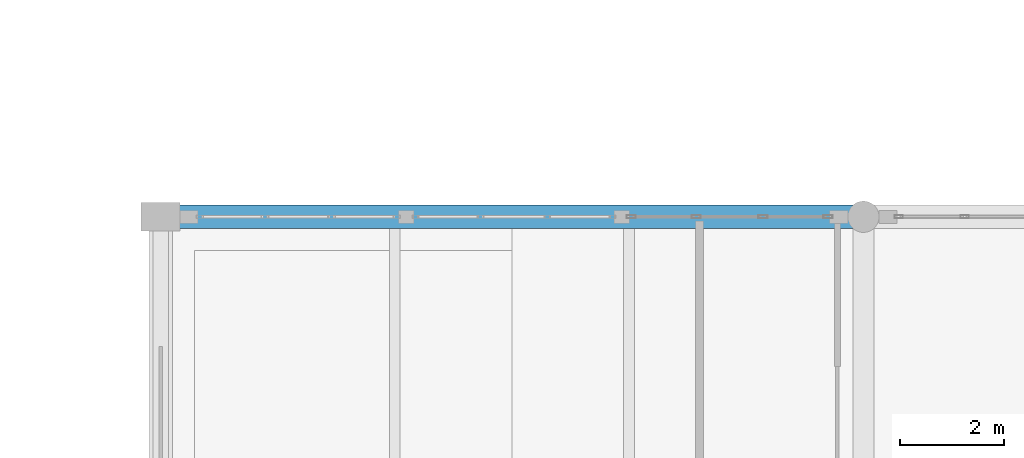
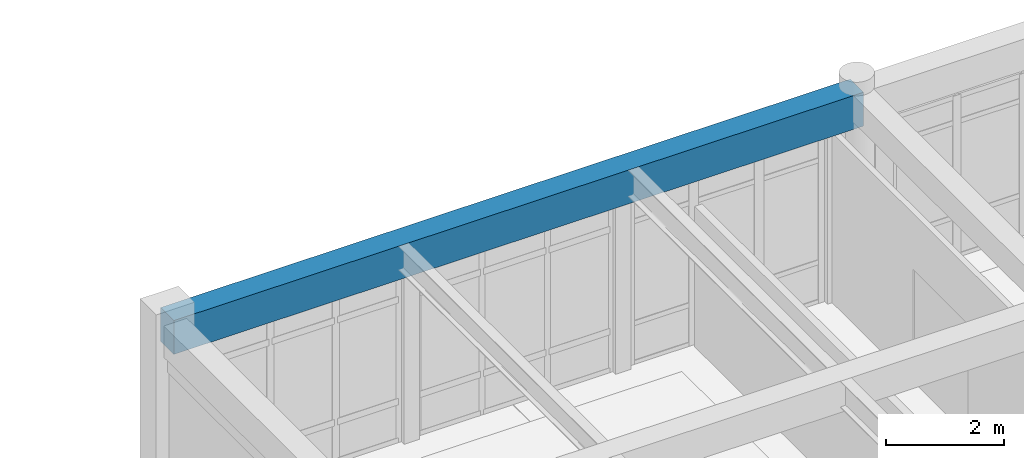
# One storey, part 17 of 109: 1 beam.
"""IFC4 building model written with IfcOpenShell, lengths in metres."""

from ifc_helpers import new_model, si_unit, direction, frame, origin, origin_2d, place, context, subcontext, project, spatial, rectangle, extrude, material, material_profile, profile_set, type_object, element, save


model = new_model("IFC4")

# Units and contexts
model_context = context("Model", 3, precision=1e-05, world=origin(), true_north=direction((0.0, 1.0)))
body_context = subcontext(model_context, "Body", "Model", "MODEL_VIEW")
ifc_project = project(units=[si_unit("LENGTHUNIT", "METRE"), si_unit("AREAUNIT", "SQUARE_METRE"), si_unit("VOLUMEUNIT", "CUBIC_METRE"), si_unit("PLANEANGLEUNIT", "RADIAN"), si_unit("MASSUNIT", "GRAM", prefix="KILO")], contexts=[model_context])

# Site, building, storey
site_placement = place(None, origin())
site = spatial("IfcSite", under=ifc_project, at=site_placement, CompositionType="ELEMENT")
building_placement = place(site_placement, origin())
building = spatial("IfcBuilding", under=site, at=building_placement, Name="Fikremerkos Civic Library", CompositionType="ELEMENT")
storey_placement = place(building_placement, frame((0.0, 0.0, 5.39990234375)))
storey = spatial("IfcBuildingStorey", under=building, at=storey_placement, Name="L01", CompositionType="ELEMENT", Elevation=5.39990234375)

# Beam
ifc_material = material(Name="Concrete C40/50", Category="concrete")
ifc_material_profile = material_profile(ifc_material, rectangle(XDim=0.449951171875, YDim=0.699951171875, at=origin_2d()), Name="RC 450x700")
ifc_profile_set = profile_set([ifc_material_profile], Name="Concrete C40/50")
beam_type = type_object("IfcBeamType", Name="Primary girder BM-06 RC 450x700", PredefinedType="BEAM", material=ifc_profile_set)
beam_placement = place(storey_placement, frame((46.199951171875, 48.0, 3.8701171875), z_axis=(1.0, 0.0, 0.0), x_axis=(0.0, 1.0, 0.0)))
element("IfcBeam", 1, at=beam_placement, inside=storey, type_object=beam_type, Name="Primary girder BM-06 L01 grid J", PredefinedType="BEAM", context=body_context, shape_type="SweptSolid", body=[
    extrude(rectangle(XDim=0.449951171875, YDim=0.699951171875, at=origin_2d()), origin(), (0.0, 0.0, 1.0), 13.5),
])

save(model, "model.ifc")
